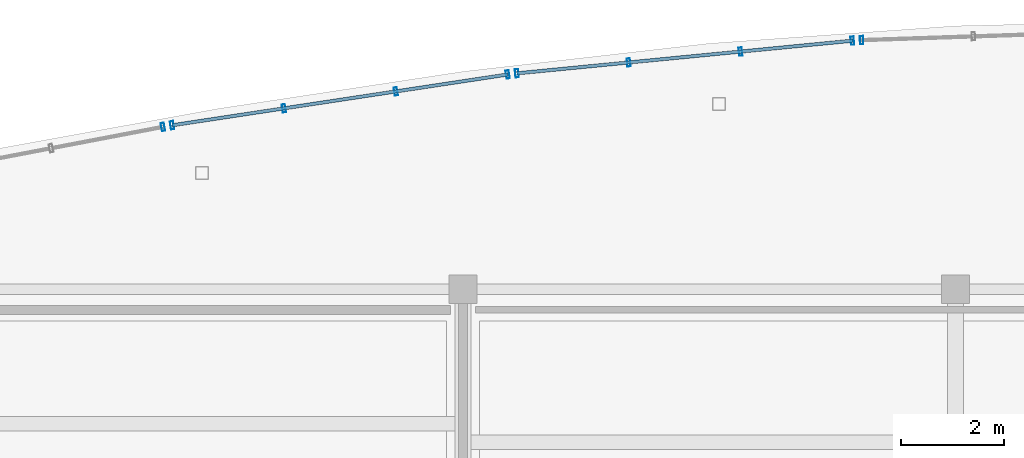
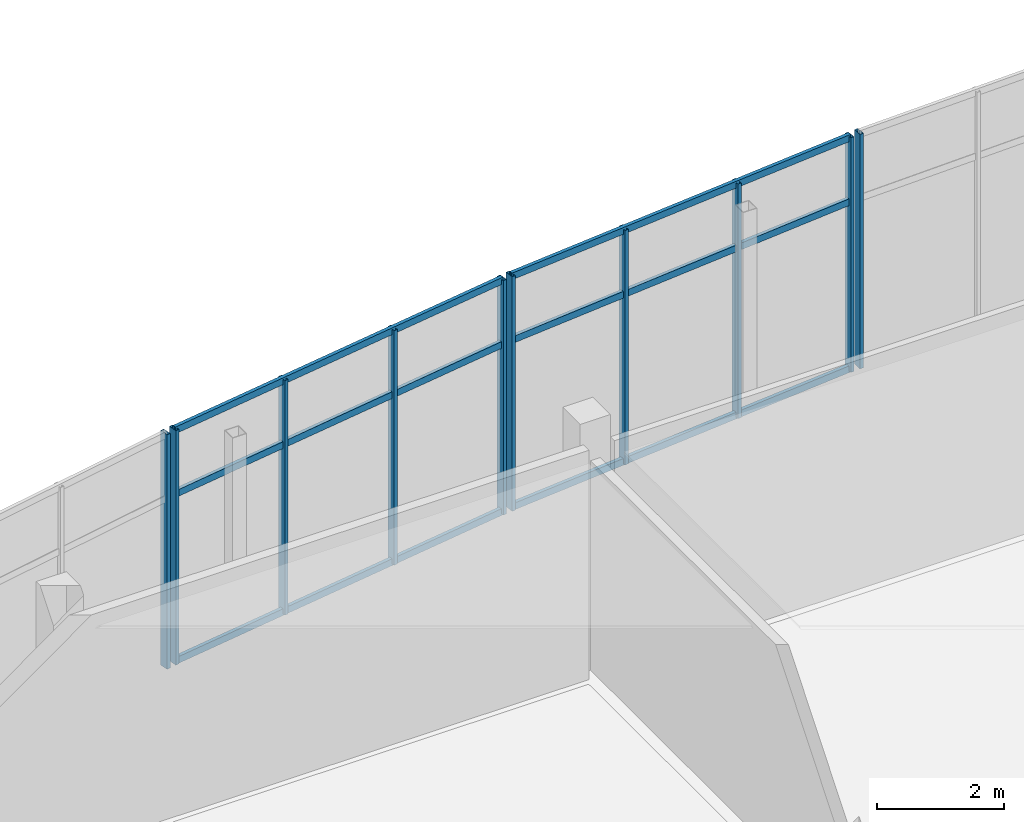
# One storey, part 94 of 157: 16 members, 4 elements without a shape of their own.
"""IFC4 building model written with IfcOpenShell, lengths in metres."""

from ifc_helpers import new_model, si_unit, direction, frame, origin, origin_2d, place, context, subcontext, project, spatial, hollow_rectangle, extrude, material, layer, layer_set, material_profile, profile_set, type_object, element, aggregate, save


model = new_model("IFC4")

# Units and contexts
model_context = context("Model", 3, precision=1e-05, world=origin(), true_north=direction((0.0, 1.0)))
body_context = subcontext(model_context, "Body", "Model", "MODEL_VIEW")
ifc_project = project(units=[si_unit("LENGTHUNIT", "METRE"), si_unit("AREAUNIT", "SQUARE_METRE"), si_unit("VOLUMEUNIT", "CUBIC_METRE"), si_unit("PLANEANGLEUNIT", "RADIAN"), si_unit("MASSUNIT", "GRAM", prefix="KILO")], contexts=[model_context])

# Site, building, storey
site_placement = place(None, origin())
site = spatial("IfcSite", under=ifc_project, at=site_placement, CompositionType="ELEMENT")
building_placement = place(site_placement, origin())
building = spatial("IfcBuilding", under=site, at=building_placement, Name="Chalmorin Arch Market", CompositionType="ELEMENT")
storey_placement = place(building_placement, frame((0.0, 0.0, 4.800048828125)))
storey = spatial("IfcBuildingStorey", under=building, at=storey_placement, Name="L01", CompositionType="ELEMENT", Elevation=4.800048828125)

# Curtain wall, member
ifc_material = material(Name="Aluminium 6063-T6", Category="aluminium")
ifc_layer_1 = layer(ifc_material, 0.159912109375)
ifc_layer_set_1 = layer_set([ifc_layer_1], Name="Aluminium 6063-T6")
curtain_wall_type_1 = type_object("IfcCurtainWallType", Name="CulinaryStudioCurtainWall-CW3-6660x4520", PredefinedType="NOTDEFINED", material=ifc_layer_set_1)
curtain_wall_1_placement = place(storey_placement, origin())
curtain_wall_1 = element("IfcCurtainWall", 1, at=curtain_wall_1_placement, inside=storey, type_object=curtain_wall_type_1, Name="CW-03-124", PredefinedType="NOTDEFINED")
ifc_material_profile_1 = material_profile(ifc_material, hollow_rectangle(XDim=0.06494140625, YDim=0.159912109375, WallThickness=0.00390625, at=origin_2d()), Name="ALU65X160X4")
ifc_profile_set_1 = profile_set([ifc_material_profile_1], Name="Aluminium 6063-T6")
member_type_1 = type_object("IfcMemberType", Name="CurtainWallMullion-65x160", PredefinedType="MULLION", material=ifc_profile_set_1)
member_1_placement = place(storey_placement, frame((61.3515625, 121.1669921875, 0.0), z_axis=(0.0, 0.0, 1.0), x_axis=(0.981627183448, 0.190808995377, 0.0)))
member_1 = element("IfcMember", 2, at=member_1_placement, type_object=member_type_1, Name="ML-124-04", PredefinedType="MULLION", context=body_context, shape_type="SweptSolid", body=[
    extrude(hollow_rectangle(XDim=0.06494140625, YDim=0.159912109375, WallThickness=0.00390625, at=origin_2d()), origin(), (0.0, 0.0, 1.0), 4.52001953125),
])
aggregate(curtain_wall_1, [member_1])

# Curtain wall, members
ifc_layer_2 = layer(ifc_material, 0.159912109375)
ifc_layer_set_2 = layer_set([ifc_layer_2], Name="Aluminium 6063-T6")
curtain_wall_type_2 = type_object("IfcCurtainWallType", Name="CulinaryStudioCurtainWall-CW3-6620x4520", PredefinedType="NOTDEFINED", material=ifc_layer_set_2)
curtain_wall_2_placement = place(storey_placement, origin())
curtain_wall_2 = element("IfcCurtainWall", 3, at=curtain_wall_2_placement, inside=storey, type_object=curtain_wall_type_2, Name="CW-03-127", PredefinedType="NOTDEFINED")
member_2_placement = place(storey_placement, frame((61.529052734375, 121.197509765625, 0.0), z_axis=(0.0, 0.0, 1.0), x_axis=(0.987688340595, 0.15643446504, 0.0)))
member_2 = element("IfcMember", 4, at=member_2_placement, type_object=member_type_1, Name="ML-127-01", PredefinedType="MULLION", context=body_context, shape_type="SweptSolid", body=[
    extrude(hollow_rectangle(XDim=0.06494140625, YDim=0.159912109375, WallThickness=0.00390625, at=origin_2d()), origin(), (0.0, 0.0, 1.0), 4.52001953125),
])
member_3_placement = place(storey_placement, frame((63.709716796875, 121.527587890625, 0.0), z_axis=(0.0, 0.0, 1.0), x_axis=(0.987688340595, 0.15643446504, 0.0)))
member_3 = element("IfcMember", 5, at=member_3_placement, type_object=member_type_1, Name="ML-127-02", PredefinedType="MULLION", context=body_context, shape_type="SweptSolid", body=[
    extrude(hollow_rectangle(XDim=0.06494140625, YDim=0.159912109375, WallThickness=0.00390625, at=origin_2d()), origin(), (0.0, 0.0, 1.0), 4.52001953125),
])
member_4_placement = place(storey_placement, frame((65.890380859375, 121.857421875, 0.0), z_axis=(0.0, 0.0, 1.0), x_axis=(0.987688340595, 0.15643446504, 0.0)))
member_4 = element("IfcMember", 6, at=member_4_placement, type_object=member_type_1, Name="ML-127-03", PredefinedType="MULLION", context=body_context, shape_type="SweptSolid", body=[
    extrude(hollow_rectangle(XDim=0.06494140625, YDim=0.159912109375, WallThickness=0.00390625, at=origin_2d()), origin(), (0.0, 0.0, 1.0), 4.52001953125),
])
member_5_placement = place(storey_placement, frame((68.071044921875, 122.1875, 0.0), z_axis=(0.0, 0.0, 1.0), x_axis=(0.987688340595, 0.15643446504, 0.0)))
member_5 = element("IfcMember", 7, at=member_5_placement, type_object=member_type_1, Name="ML-127-04", PredefinedType="MULLION", context=body_context, shape_type="SweptSolid", body=[
    extrude(hollow_rectangle(XDim=0.06494140625, YDim=0.159912109375, WallThickness=0.00390625, at=origin_2d()), origin(), (0.0, 0.0, 1.0), 4.52001953125),
])

ifc_layer_3 = layer(ifc_material, 0.159912109375)
ifc_layer_set_3 = layer_set([ifc_layer_3], Name="Aluminium 6063-T6")
curtain_wall_type_3 = type_object("IfcCurtainWallType", Name="CulinaryStudioCurtainWall-CW3-6570x4520", PredefinedType="NOTDEFINED", material=ifc_layer_set_3)
curtain_wall_3_placement = place(storey_placement, origin())
curtain_wall_3 = element("IfcCurtainWall", 8, at=curtain_wall_3_placement, inside=storey, type_object=curtain_wall_type_3, Name="CW-03-130", PredefinedType="NOTDEFINED")
member_6_placement = place(storey_placement, frame((68.24951171875, 122.209716796875, 0.0), z_axis=(0.0, 0.0, 1.0), x_axis=(0.994521895368, 0.104528463268, 0.0)))
member_6 = element("IfcMember", 9, at=member_6_placement, type_object=member_type_1, Name="ML-130-01", PredefinedType="MULLION", context=body_context, shape_type="SweptSolid", body=[
    extrude(hollow_rectangle(XDim=0.06494140625, YDim=0.159912109375, WallThickness=0.00390625, at=origin_2d()), origin(), (0.0, 0.0, 1.0), 4.52001953125),
])
member_7_placement = place(storey_placement, frame((70.429931640625, 122.421875, 0.0), z_axis=(0.0, 0.0, 1.0), x_axis=(0.994521895368, 0.104528463268, 0.0)))
member_7 = element("IfcMember", 10, at=member_7_placement, type_object=member_type_1, Name="ML-130-02", PredefinedType="MULLION", context=body_context, shape_type="SweptSolid", body=[
    extrude(hollow_rectangle(XDim=0.06494140625, YDim=0.159912109375, WallThickness=0.00390625, at=origin_2d()), origin(), (0.0, 0.0, 1.0), 4.52001953125),
])
member_8_placement = place(storey_placement, frame((72.610107421875, 122.634033203125, 0.0), z_axis=(0.0, 0.0, 1.0), x_axis=(0.994521895368, 0.104528463268, 0.0)))
member_8 = element("IfcMember", 11, at=member_8_placement, type_object=member_type_1, Name="ML-130-03", PredefinedType="MULLION", context=body_context, shape_type="SweptSolid", body=[
    extrude(hollow_rectangle(XDim=0.06494140625, YDim=0.159912109375, WallThickness=0.00390625, at=origin_2d()), origin(), (0.0, 0.0, 1.0), 4.52001953125),
])
member_9_placement = place(storey_placement, frame((74.790283203125, 122.84619140625, 0.0), z_axis=(0.0, 0.0, 1.0), x_axis=(0.994521895368, 0.104528463268, 0.0)))
member_9 = element("IfcMember", 12, at=member_9_placement, type_object=member_type_1, Name="ML-130-04", PredefinedType="MULLION", context=body_context, shape_type="SweptSolid", body=[
    extrude(hollow_rectangle(XDim=0.06494140625, YDim=0.159912109375, WallThickness=0.00390625, at=origin_2d()), origin(), (0.0, 0.0, 1.0), 4.52001953125),
])

# Curtain wall, member
ifc_layer_4 = layer(ifc_material, 0.159912109375)
ifc_layer_set_4 = layer_set([ifc_layer_4], Name="Aluminium 6063-T6")
curtain_wall_type_4 = type_object("IfcCurtainWallType", Name="CulinaryStudioCurtainWall-CW3-6540x4520", PredefinedType="NOTDEFINED", material=ifc_layer_set_4)
curtain_wall_4_placement = place(storey_placement, origin())
curtain_wall_4 = element("IfcCurtainWall", 13, at=curtain_wall_4_placement, inside=storey, type_object=curtain_wall_type_4, Name="CW-03-133", PredefinedType="NOTDEFINED")
member_10_placement = place(storey_placement, frame((74.969970703125, 122.85791015625, 0.0), z_axis=(0.0, 0.0, 1.0), x_axis=(0.999390827019, 0.034899496703, 0.0)))
member_10 = element("IfcMember", 14, at=member_10_placement, type_object=member_type_1, Name="ML-133-01", PredefinedType="MULLION", context=body_context, shape_type="SweptSolid", body=[
    extrude(hollow_rectangle(XDim=0.06494140625, YDim=0.159912109375, WallThickness=0.00390625, at=origin_2d()), origin(), (0.0, 0.0, 1.0), 4.52001953125),
])
aggregate(curtain_wall_4, [member_10])

# Member
ifc_material_profile_2 = material_profile(ifc_material, hollow_rectangle(XDim=0.06494140625, YDim=0.1298828125, WallThickness=0.00390625, at=origin_2d()), Name="ALU65X130X4")
ifc_profile_set_2 = profile_set([ifc_material_profile_2], Name="Aluminium 6063-T6")
member_type_2 = type_object("IfcMemberType", Name="CurtainWallTransom-65x130", PredefinedType="USERDEFINED", material=ifc_profile_set_2)
member_11_placement = place(storey_placement, frame((61.529052734375, 121.197509765625, 0.034912109375), z_axis=(0.988742814157, 0.149625022817, 0.0), x_axis=(-0.149625022817, 0.988742814157, 0.0)))
member_11 = element("IfcMember", 15, at=member_11_placement, type_object=member_type_2, Name="TR-127-01", ObjectType="TRANSOM", PredefinedType="USERDEFINED", context=body_context, shape_type="SweptSolid", body=[
    extrude(hollow_rectangle(XDim=0.06494140625, YDim=0.1298828125, WallThickness=0.00390625, at=origin_2d()), origin(), (0.0, 0.0, 1.0), 6.616455078125),
])

member_12_placement = place(storey_placement, frame((61.529052734375, 121.197509765625, 3.25439453125), z_axis=(0.988742814157, 0.149625022817, 0.0), x_axis=(-0.149625022817, 0.988742814157, 0.0)))
member_12 = element("IfcMember", 16, at=member_12_placement, type_object=member_type_2, Name="TR-127-02", ObjectType="TRANSOM", PredefinedType="USERDEFINED", context=body_context, shape_type="SweptSolid", body=[
    extrude(hollow_rectangle(XDim=0.06494140625, YDim=0.1298828125, WallThickness=0.00390625, at=origin_2d()), origin(), (0.0, 0.0, 1.0), 6.616455078125),
])

member_13_placement = place(storey_placement, frame((61.529052734375, 121.197509765625, 4.48486328125), z_axis=(0.988742814157, 0.149625022817, 0.0), x_axis=(-0.149625022817, 0.988742814157, 0.0)))
member_13 = element("IfcMember", 17, at=member_13_placement, type_object=member_type_2, Name="TR-127-03", ObjectType="TRANSOM", PredefinedType="USERDEFINED", context=body_context, shape_type="SweptSolid", body=[
    extrude(hollow_rectangle(XDim=0.06494140625, YDim=0.1298828125, WallThickness=0.00390625, at=origin_2d()), origin(), (0.0, 0.0, 1.0), 6.616455078125),
])

aggregate(curtain_wall_2, [member_2, member_3, member_4, member_5, member_11, member_12, member_13])

member_14_placement = place(storey_placement, frame((68.24951171875, 122.209716796875, 0.034912109375), z_axis=(0.995298859057, 0.096851335357, 0.0), x_axis=(-0.096851335357, 0.995298859057, 0.0)))
member_14 = element("IfcMember", 18, at=member_14_placement, type_object=member_type_2, Name="TR-130-01", ObjectType="TRANSOM", PredefinedType="USERDEFINED", context=body_context, shape_type="SweptSolid", body=[
    extrude(hollow_rectangle(XDim=0.06494140625, YDim=0.1298828125, WallThickness=0.00390625, at=origin_2d()), origin(), (0.0, 0.0, 1.0), 6.57177734375),
])

member_15_placement = place(storey_placement, frame((68.24951171875, 122.209716796875, 3.25439453125), z_axis=(0.995298859057, 0.096851335357, 0.0), x_axis=(-0.096851335357, 0.995298859057, 0.0)))
member_15 = element("IfcMember", 19, at=member_15_placement, type_object=member_type_2, Name="TR-130-02", ObjectType="TRANSOM", PredefinedType="USERDEFINED", context=body_context, shape_type="SweptSolid", body=[
    extrude(hollow_rectangle(XDim=0.06494140625, YDim=0.1298828125, WallThickness=0.00390625, at=origin_2d()), origin(), (0.0, 0.0, 1.0), 6.57177734375),
])

member_16_placement = place(storey_placement, frame((68.24951171875, 122.209716796875, 4.48486328125), z_axis=(0.995298859057, 0.096851335357, 0.0), x_axis=(-0.096851335357, 0.995298859057, 0.0)))
member_16 = element("IfcMember", 20, at=member_16_placement, type_object=member_type_2, Name="TR-130-03", ObjectType="TRANSOM", PredefinedType="USERDEFINED", context=body_context, shape_type="SweptSolid", body=[
    extrude(hollow_rectangle(XDim=0.06494140625, YDim=0.1298828125, WallThickness=0.00390625, at=origin_2d()), origin(), (0.0, 0.0, 1.0), 6.57177734375),
])

aggregate(curtain_wall_3, [member_6, member_7, member_8, member_9, member_14, member_15, member_16])

save(model, "model.ifc")
